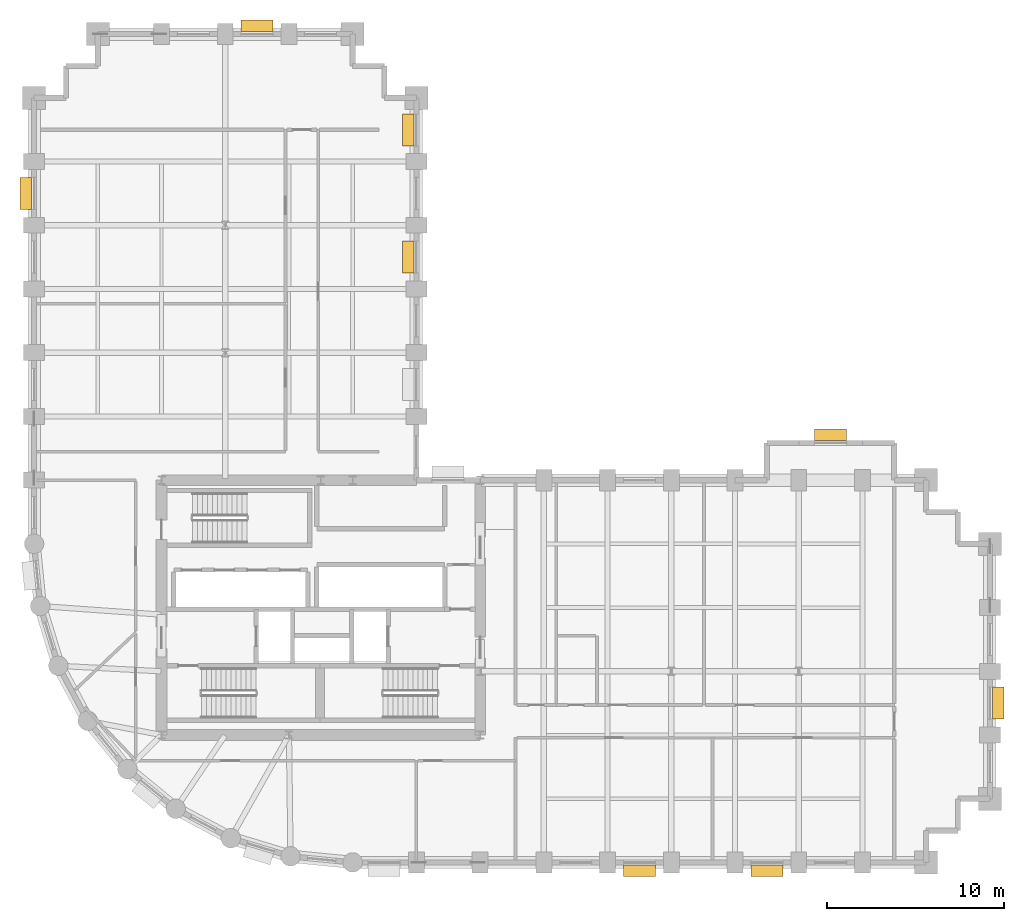
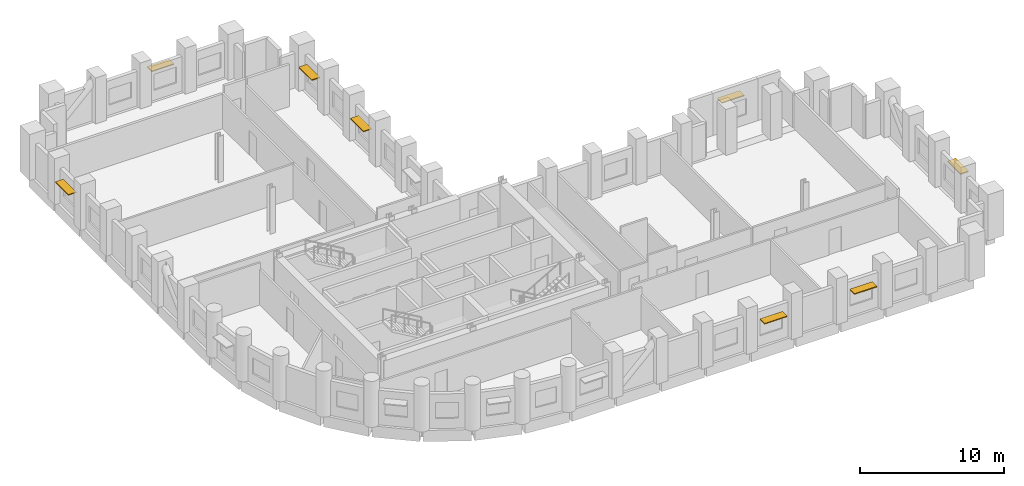
# One storey, part 9 of 9: 8 shading devices.
"""IFC4 building model written with IfcOpenShell, lengths in metres."""

from ifc_helpers import new_model, si_unit, direction, frame, origin, origin_2d, place, context, subcontext, project, spatial, rectangle, extrude, material, layer, layer_set, type_object, element, save


model = new_model("IFC4")

# Units and contexts
model_context = context("Model", 3, precision=1e-05, world=origin(), true_north=direction((0.0, 1.0)))
body_context = subcontext(model_context, "Body", "Model", "MODEL_VIEW")
ifc_project = project(units=[si_unit("LENGTHUNIT", "METRE"), si_unit("AREAUNIT", "SQUARE_METRE"), si_unit("VOLUMEUNIT", "CUBIC_METRE"), si_unit("PLANEANGLEUNIT", "RADIAN"), si_unit("MASSUNIT", "GRAM", prefix="KILO")], contexts=[model_context])

# Site, building, storey
site_placement = place(None, origin())
site = spatial("IfcSite", under=ifc_project, at=site_placement, CompositionType="ELEMENT")
building_placement = place(site_placement, origin())
building = spatial("IfcBuilding", under=site, at=building_placement, Name="Solnavia Interchange Tower", CompositionType="ELEMENT")
storey_placement = place(building_placement, frame((0.0, 0.0, 70.800048828125)))
storey = spatial("IfcBuildingStorey", under=building, at=storey_placement, Name="L17", CompositionType="ELEMENT", Elevation=70.800048828125)

# Shading devices
ifc_material = material(Name="Anodised Aluminium Sunshade", Category="aluminium")
ifc_layer = layer(ifc_material, 0.080078125)
ifc_layer_set = layer_set([ifc_layer], Name="Anodised Aluminium Sunshade")
shading_device_type = type_object("IfcShadingDeviceType", Name="Sunshade-Band-650", PredefinedType="SHUTTER", material=ifc_layer_set)
for number, where, z_axis, x_axis, name in (
    (1, (41.39990234375, 3.1298828125, 2.219970703125), (0.0, 0.0, 1.0), (-1.0, 0.0, 0.0), "SHD-L17-05 Horizontal sunshade band"),
    (2, (48.60009765625, 3.1298828125, 2.219970703125), (0.0, 0.0, 1.0), (-1.0, 0.0, 0.0), "SHD-L17-07 Horizontal sunshade band"),
    (3, (61.669921875, 12.60009765625, 2.219970703125), (0.0, 0.0, 1.0), (0.0, -1.0, 0.0), "SHD-L17-15 Horizontal sunshade band"),
    (4, (52.199951171875, 27.77001953125, 2.219970703125), (0.0, 0.0, 1.0), (1.0, 0.0, 0.0), "SHD-L17-25 Horizontal sunshade band"),
    (5, (28.330078125, 37.800048828125, 2.219970703125), (0.0, 0.0, 1.0), (0.0, 1.0, 0.0), "SHD-L17-37 Horizontal sunshade band"),
    (6, (28.330078125, 44.97509765625, 2.219970703125), (0.0, 0.0, 1.0), (0.0, 1.0, 0.0), "SHD-L17-39 Horizontal sunshade band"),
    (7, (19.800048828125, 50.8701171875, 2.219970703125), (0.0, 0.0, 1.0), (1.0, 0.0, 0.0), "SHD-L17-45 Horizontal sunshade band"),
    (8, (6.72998046875, 41.39990234375, 2.219970703125), (0.0, 0.0, 1.0), (0.0, 1.0, 0.0), "SHD-L17-53 Horizontal sunshade band"),
):
    element("IfcShadingDevice", number, at=place(storey_placement, frame(where, z_axis=z_axis, x_axis=x_axis)), inside=storey, type_object=shading_device_type, Name=name, PredefinedType="SHUTTER", context=body_context, shape_type="SweptSolid", body=[
        extrude(rectangle(XDim=1.800048828125, YDim=0.64990234375, at=origin_2d()), origin(), (0.0, 0.0, 1.0), 0.080078125),
    ])

save(model, "model.ifc")
